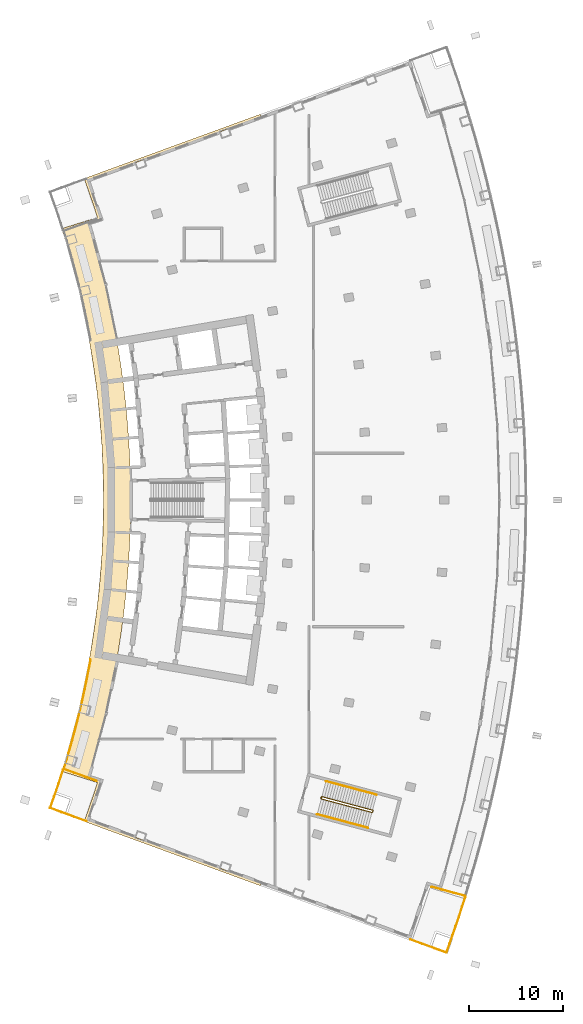
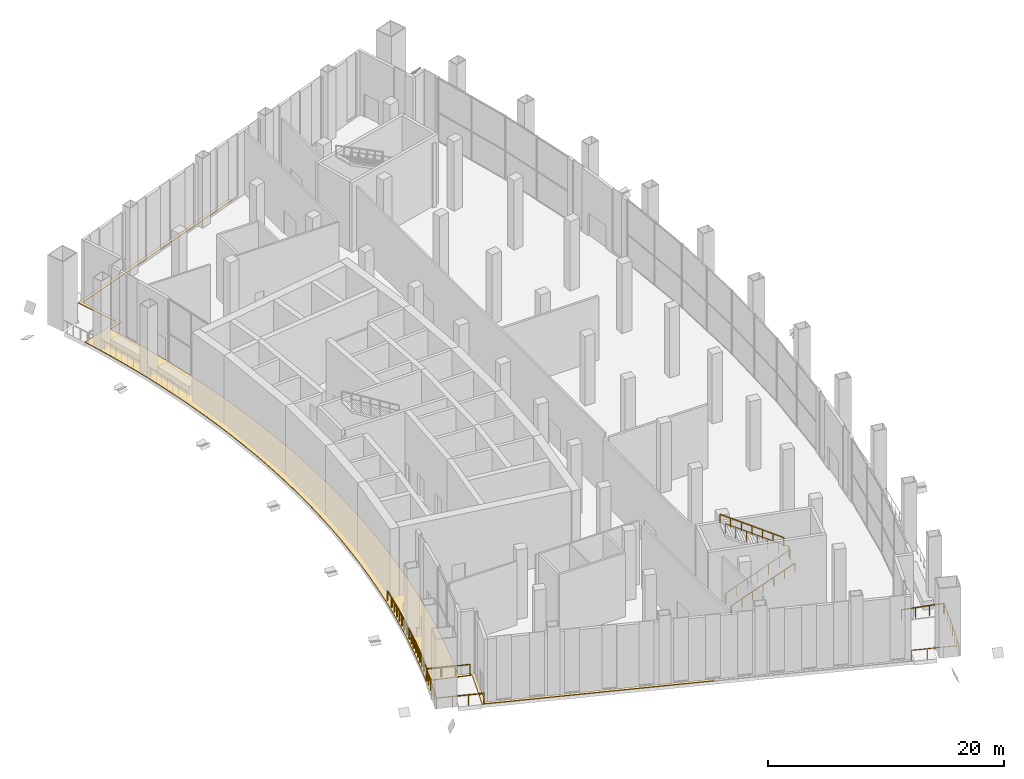
# One storey, part 14 of 18: 8 railings, 1 covering.
"""IFC4 building model written with IfcOpenShell, lengths in metres."""

from ifc_helpers import new_model, si_unit, direction, frame, origin, origin_2d, place, context, subcontext, project, spatial, polyline, rectangle, outline, extrude, material, layer, layer_set, type_object, element, save


model = new_model("IFC4")

# Units and contexts
model_context = context("Model", 3, precision=1e-05, world=origin(), true_north=direction((0.0, 1.0)))
body_context = subcontext(model_context, "Body", "Model", "MODEL_VIEW")
ifc_project = project(units=[si_unit("LENGTHUNIT", "METRE"), si_unit("AREAUNIT", "SQUARE_METRE"), si_unit("VOLUMEUNIT", "CUBIC_METRE"), si_unit("PLANEANGLEUNIT", "RADIAN"), si_unit("MASSUNIT", "GRAM", prefix="KILO")], contexts=[model_context])

# Site, building, storey
site_placement = place(None, origin())
site = spatial("IfcSite", under=ifc_project, at=site_placement, CompositionType="ELEMENT")
building_placement = place(site_placement, origin())
building = spatial("IfcBuilding", under=site, at=building_placement, Name="Alderwake Tower", CompositionType="ELEMENT")
storey_placement = place(building_placement, frame((0.0, 0.0, 125.60009765625)))
storey = spatial("IfcBuildingStorey", under=building, at=storey_placement, Name="L31", CompositionType="ELEMENT", Elevation=125.60009765625)

# Railings
ifc_material_1 = material(Name="Stainless steel 316 rail and posts", Category="steel")
railing_type_1 = type_object("IfcRailingType", Name="Balcony guard 1100", PredefinedType="GUARDRAIL", material=ifc_material_1)
railing_1_placement = place(storey_placement, frame((54.594970703125, 18.651123046875, 0.0)))
element("IfcRailing", 1, at=railing_1_placement, inside=storey, type_object=railing_type_1, Name="Guard terrace FS", PredefinedType="GUARDRAIL", context=body_context, shape_type="SweptSolid", body=[
    extrude(rectangle(XDim=0.048095703125, YDim=0.048095703125, at=origin_2d()), frame((0.0, 0.0, 1.076171875), z_axis=(-0.307779974329, -0.951457559433, 0.0), x_axis=(0.951457559433, -0.307779974329, 0.0)), (0.0, 0.0, 1.0), 2.257568359375),
    extrude(rectangle(XDim=0.048095703125, YDim=0.048095703125, at=origin_2d()), frame((-0.69482421875, -2.14794921875, 1.076171875), z_axis=(-0.322236651578, -0.946659146884, 0.0), x_axis=(0.946659146884, -0.322236651578, 0.0)), (0.0, 0.0, 1.0), 2.057861328125),
    extrude(rectangle(XDim=0.048095703125, YDim=0.048095703125, at=origin_2d()), frame((-1.35791015625, -4.095947265625, 1.076171875), z_axis=(-0.335838646603, -0.941919531302, 0.0), x_axis=(0.941919531302, -0.335838646603, 0.0)), (0.0, 0.0, 1.0), 1.957763671875),
    extrude(rectangle(XDim=0.048095703125, YDim=0.048095703125, at=origin_2d()), frame((-2.015380859375, -5.93994140625, 1.076171875), z_axis=(-0.939617696184, 0.342225926863, 0.0), x_axis=(-0.342225926863, -0.939617696184, 0.0)), (0.0, 0.0, 1.0), 4.099853515625),
    extrude(rectangle(XDim=0.0419921875, YDim=0.0419921875, at=origin_2d()), frame((0.0, 0.0, 0.0), z_axis=(0.0, 0.0, 1.0), x_axis=(-0.307779974329, -0.951457559433, 0.0)), (0.0, 0.0, 1.0), 1.052001953125),
    extrude(rectangle(XDim=0.0419921875, YDim=0.0419921875, at=origin_2d()), frame((-0.347412109375, -1.073974609375, 0.0), z_axis=(0.0, 0.0, 1.0), x_axis=(-0.307779974329, -0.951457559433, 0.0)), (0.0, 0.0, 1.0), 1.052001953125),
    extrude(rectangle(XDim=0.0419921875, YDim=0.0419921875, at=origin_2d()), frame((-0.69482421875, -2.14794921875, 0.0), z_axis=(0.0, 0.0, 1.0), x_axis=(-0.322236651578, -0.946659146884, 0.0)), (0.0, 0.0, 1.0), 1.052001953125),
    extrude(rectangle(XDim=0.0419921875, YDim=0.0419921875, at=origin_2d()), frame((-1.0263671875, -3.1220703125, 0.0), z_axis=(0.0, 0.0, 1.0), x_axis=(-0.322236651578, -0.946659146884, 0.0)), (0.0, 0.0, 1.0), 1.052001953125),
    extrude(rectangle(XDim=0.0419921875, YDim=0.0419921875, at=origin_2d()), frame((-1.35791015625, -4.095947265625, 0.0), z_axis=(0.0, 0.0, 1.0), x_axis=(-0.335838646603, -0.941919531302, 0.0)), (0.0, 0.0, 1.0), 1.052001953125),
    extrude(rectangle(XDim=0.0419921875, YDim=0.0419921875, at=origin_2d()), frame((-1.6865234375, -5.01806640625, 0.0), z_axis=(0.0, 0.0, 1.0), x_axis=(-0.335838646603, -0.941919531302, 0.0)), (0.0, 0.0, 1.0), 1.052001953125),
    extrude(rectangle(XDim=0.0419921875, YDim=0.0419921875, at=origin_2d()), frame((-2.015380859375, -5.93994140625, 0.0), z_axis=(0.0, 0.0, 1.0), x_axis=(-0.939617696184, 0.342225926863, 0.0)), (0.0, 0.0, 1.0), 1.052001953125),
    extrude(rectangle(XDim=0.0419921875, YDim=0.0419921875, at=origin_2d()), frame((-3.299560546875, -5.47216796875, 0.0), z_axis=(0.0, 0.0, 1.0), x_axis=(-0.939617696184, 0.342225926863, 0.0)), (0.0, 0.0, 1.0), 1.052001953125),
    extrude(rectangle(XDim=0.0419921875, YDim=0.0419921875, at=origin_2d()), frame((-4.58349609375, -5.004638671875, 0.0), z_axis=(0.0, 0.0, 1.0), x_axis=(-0.939617696184, 0.342225926863, 0.0)), (0.0, 0.0, 1.0), 1.052001953125),
    extrude(rectangle(XDim=0.0419921875, YDim=0.0419921875, at=origin_2d()), frame((-5.86767578125, -4.536865234375, 0.0), z_axis=(0.0, 0.0, 1.0), x_axis=(-0.939617696184, 0.342225926863, 0.0)), (0.0, 0.0, 1.0), 1.052001953125),
])
railing_2_placement = place(storey_placement, frame((11.688720703125, 32.218017578125, 0.0)))
element("IfcRailing", 2, at=railing_2_placement, inside=storey, type_object=railing_type_1, Name="Guard terrace RS", PredefinedType="GUARDRAIL", context=body_context, shape_type="SweptSolid", body=[
    extrude(rectangle(XDim=0.048095703125, YDim=0.048095703125, at=origin_2d()), frame((0.0, 0.0, 1.076171875), z_axis=(-0.307479326145, -0.951554761426, 0.0), x_axis=(0.951554761426, -0.307479326145, 0.0)), (0.0, 0.0, 1.0), 1.6015625),
    extrude(rectangle(XDim=0.048095703125, YDim=0.048095703125, at=origin_2d()), frame((-0.492431640625, -1.52392578125, 1.076171875), z_axis=(-0.322283727344, -0.946643121292, 0.0), x_axis=(0.946643121292, -0.322283727344, 0.0)), (0.0, 0.0, 1.0), 1.4013671875),
    extrude(rectangle(XDim=0.048095703125, YDim=0.048095703125, at=origin_2d()), frame((-0.944091796875, -2.8505859375, 1.076171875), z_axis=(-0.335468607403, -0.942051385778, 0.0), x_axis=(0.942051385778, -0.335468607403, 0.0)), (0.0, 0.0, 1.0), 1.30126953125),
    extrude(rectangle(XDim=0.048095703125, YDim=0.048095703125, at=origin_2d()), frame((-1.380615234375, -4.076416015625, 1.076171875), z_axis=(0.939708203232, -0.341977327873, 0.0), x_axis=(0.341977327873, 0.939708203232, 0.0)), (0.0, 0.0, 1.0), 4.10009765625),
    extrude(rectangle(XDim=0.0419921875, YDim=0.0419921875, at=origin_2d()), frame((0.0, 0.0, 0.0), z_axis=(0.0, 0.0, 1.0), x_axis=(-0.307479326145, -0.951554761426, 0.0)), (0.0, 0.0, 1.0), 1.052001953125),
    extrude(rectangle(XDim=0.0419921875, YDim=0.0419921875, at=origin_2d()), frame((-0.24609375, -0.761962890625, 0.0), z_axis=(0.0, 0.0, 1.0), x_axis=(-0.307479326145, -0.951554761426, 0.0)), (0.0, 0.0, 1.0), 1.052001953125),
    extrude(rectangle(XDim=0.0419921875, YDim=0.0419921875, at=origin_2d()), frame((-0.492431640625, -1.52392578125, 0.0), z_axis=(0.0, 0.0, 1.0), x_axis=(-0.322283727344, -0.946643121292, 0.0)), (0.0, 0.0, 1.0), 1.052001953125),
    extrude(rectangle(XDim=0.0419921875, YDim=0.0419921875, at=origin_2d()), frame((-0.71826171875, -2.187255859375, 0.0), z_axis=(0.0, 0.0, 1.0), x_axis=(-0.322283727344, -0.946643121292, 0.0)), (0.0, 0.0, 1.0), 1.052001953125),
    extrude(rectangle(XDim=0.0419921875, YDim=0.0419921875, at=origin_2d()), frame((-0.944091796875, -2.8505859375, 0.0), z_axis=(0.0, 0.0, 1.0), x_axis=(-0.335468607403, -0.942051385778, 0.0)), (0.0, 0.0, 1.0), 1.052001953125),
    extrude(rectangle(XDim=0.0419921875, YDim=0.0419921875, at=origin_2d()), frame((-1.380615234375, -4.076416015625, 0.0), z_axis=(0.0, 0.0, 1.0), x_axis=(0.939708203232, -0.341977327873, 0.0)), (0.0, 0.0, 1.0), 1.052001953125),
    extrude(rectangle(XDim=0.0419921875, YDim=0.0419921875, at=origin_2d()), frame((-0.096435546875, -4.543701171875, 0.0), z_axis=(0.0, 0.0, 1.0), x_axis=(0.939708203232, -0.341977327873, 0.0)), (0.0, 0.0, 1.0), 1.052001953125),
    extrude(rectangle(XDim=0.0419921875, YDim=0.0419921875, at=origin_2d()), frame((1.18798828125, -5.01123046875, 0.0), z_axis=(0.0, 0.0, 1.0), x_axis=(0.939708203232, -0.341977327873, 0.0)), (0.0, 0.0, 1.0), 1.052001953125),
    extrude(rectangle(XDim=0.0419921875, YDim=0.0419921875, at=origin_2d()), frame((2.47216796875, -5.478515625, 0.0), z_axis=(0.0, 0.0, 1.0), x_axis=(0.939708203232, -0.341977327873, 0.0)), (0.0, 0.0, 1.0), 1.052001953125),
])
railing_3_placement = place(storey_placement, frame((54.5771484375, 18.76171875, 0.0)))
element("IfcRailing", 3, at=railing_3_placement, inside=storey, type_object=railing_type_1, Name="Guard garden terrace front end", PredefinedType="GUARDRAIL", context=body_context, shape_type="SweptSolid", body=[
    extrude(rectangle(XDim=0.048095703125, YDim=0.048095703125, at=origin_2d()), frame((0.0, 0.0, 1.076171875), z_axis=(-0.964915821237, 0.262559436939, 0.0), x_axis=(-0.262559436939, -0.964915821237, 0.0)), (0.0, 0.0, 1.0), 3.70263671875),
    extrude(rectangle(XDim=0.0419921875, YDim=0.0419921875, at=origin_2d()), frame((0.0, 0.0, 0.0), z_axis=(0.0, 0.0, 1.0), x_axis=(-0.964915821237, 0.262559436939, 0.0)), (0.0, 0.0, 1.0), 1.052001953125),
    extrude(rectangle(XDim=0.0419921875, YDim=0.0419921875, at=origin_2d()), frame((-1.19091796875, 0.323974609375, 0.0), z_axis=(0.0, 0.0, 1.0), x_axis=(-0.964915821237, 0.262559436939, 0.0)), (0.0, 0.0, 1.0), 1.052001953125),
    extrude(rectangle(XDim=0.0419921875, YDim=0.0419921875, at=origin_2d()), frame((-2.3818359375, 0.648193359375, 0.0), z_axis=(0.0, 0.0, 1.0), x_axis=(-0.964915821237, 0.262559436939, 0.0)), (0.0, 0.0, 1.0), 1.052001953125),
    extrude(rectangle(XDim=0.0419921875, YDim=0.0419921875, at=origin_2d()), frame((-3.57275390625, 0.97216796875, 0.0), z_axis=(0.0, 0.0, 1.0), x_axis=(-0.964915821237, 0.262559436939, 0.0)), (0.0, 0.0, 1.0), 1.052001953125),
])
railing_4_placement = place(storey_placement, frame((11.76611328125, 32.29833984375, 0.0)))
element("IfcRailing", 4, at=railing_4_placement, inside=storey, type_object=railing_type_1, Name="Guard garden terrace rear", PredefinedType="GUARDRAIL", context=body_context, shape_type="SweptSolid", body=[
    extrude(rectangle(XDim=0.048095703125, YDim=0.048095703125, at=origin_2d()), frame((0.0, 0.0, 1.076171875), z_axis=(0.293011807358, 0.95610882265, 0.0), x_axis=(-0.95610882265, 0.293011807358, 0.0)), (0.0, 0.0, 1.0), 1.102294921875),
    extrude(rectangle(XDim=0.048095703125, YDim=0.048095703125, at=origin_2d()), frame((0.322998046875, 1.053955078125, 1.076171875), z_axis=(0.280695326574, 0.959796923125, 0.0), x_axis=(-0.959796923125, 0.280695326574, 0.0)), (0.0, 0.0, 1.0), 1.402099609375),
    extrude(rectangle(XDim=0.048095703125, YDim=0.048095703125, at=origin_2d()), frame((0.716552734375, 2.399658203125, 1.076171875), z_axis=(0.266386460688, 0.963866304817, 0.0), x_axis=(-0.963866304817, 0.266386460688, 0.0)), (0.0, 0.0, 1.0), 1.40234375),
    extrude(rectangle(XDim=0.048095703125, YDim=0.048095703125, at=origin_2d()), frame((1.090087890625, 3.751220703125, 1.076171875), z_axis=(0.252478602314, 0.96760247797, 0.0), x_axis=(-0.96760247797, 0.252478602314, 0.0)), (0.0, 0.0, 1.0), 1.402099609375),
    extrude(rectangle(XDim=0.048095703125, YDim=0.048095703125, at=origin_2d()), frame((1.444091796875, 5.10791015625, 1.076171875), z_axis=(0.238354767213, 0.971178153042, 0.0), x_axis=(-0.971178153042, 0.238354767213, 0.0)), (0.0, 0.0, 1.0), 1.40234375),
    extrude(rectangle(XDim=0.048095703125, YDim=0.048095703125, at=origin_2d()), frame((1.7783203125, 6.4697265625, 1.076171875), z_axis=(0.224096426432, 0.974566976488, 0.0), x_axis=(-0.974566976488, 0.224096426432, 0.0)), (0.0, 0.0, 1.0), 1.402099609375),
    extrude(rectangle(XDim=0.048095703125, YDim=0.048095703125, at=origin_2d()), frame((2.092529296875, 7.836181640625, 1.076171875), z_axis=(0.209957084556, 0.977710602707, 0.0), x_axis=(-0.977710602707, 0.209957084556, 0.0)), (0.0, 0.0, 1.0), 1.40234375),
    extrude(rectangle(XDim=0.048095703125, YDim=0.048095703125, at=origin_2d()), frame((2.386962890625, 9.207275390625, 1.076171875), z_axis=(0.1955468343, 0.980694364007, 0.0), x_axis=(-0.980694364007, 0.1955468343, 0.0)), (0.0, 0.0, 1.0), 1.402099609375),
    extrude(rectangle(XDim=0.048095703125, YDim=0.048095703125, at=origin_2d()), frame((2.6611328125, 10.582275390625, 1.076171875), z_axis=(0.182977626426, 0.983117077579, 0.0), x_axis=(-0.983117077579, 0.182977626426, 0.0)), (0.0, 0.0, 1.0), 1.10205078125),
    extrude(rectangle(XDim=0.0419921875, YDim=0.0419921875, at=origin_2d()), frame((0.0, 0.0, 0.0), z_axis=(0.0, 0.0, 1.0), x_axis=(0.293011807358, 0.95610882265, 0.0)), (0.0, 0.0, 1.0), 1.052001953125),
    extrude(rectangle(XDim=0.0419921875, YDim=0.0419921875, at=origin_2d()), frame((0.322998046875, 1.053955078125, 0.0), z_axis=(0.0, 0.0, 1.0), x_axis=(0.280695326574, 0.959796923125, 0.0)), (0.0, 0.0, 1.0), 1.052001953125),
    extrude(rectangle(XDim=0.0419921875, YDim=0.0419921875, at=origin_2d()), frame((0.519775390625, 1.726806640625, 0.0), z_axis=(0.0, 0.0, 1.0), x_axis=(0.280695326574, 0.959796923125, 0.0)), (0.0, 0.0, 1.0), 1.052001953125),
    extrude(rectangle(XDim=0.0419921875, YDim=0.0419921875, at=origin_2d()), frame((0.716552734375, 2.399658203125, 0.0), z_axis=(0.0, 0.0, 1.0), x_axis=(0.266386460688, 0.963866304817, 0.0)), (0.0, 0.0, 1.0), 1.052001953125),
    extrude(rectangle(XDim=0.0419921875, YDim=0.0419921875, at=origin_2d()), frame((0.9033203125, 3.075439453125, 0.0), z_axis=(0.0, 0.0, 1.0), x_axis=(0.266386460688, 0.963866304817, 0.0)), (0.0, 0.0, 1.0), 1.052001953125),
    extrude(rectangle(XDim=0.0419921875, YDim=0.0419921875, at=origin_2d()), frame((1.090087890625, 3.751220703125, 0.0), z_axis=(0.0, 0.0, 1.0), x_axis=(0.252478602314, 0.96760247797, 0.0)), (0.0, 0.0, 1.0), 1.052001953125),
    extrude(rectangle(XDim=0.0419921875, YDim=0.0419921875, at=origin_2d()), frame((1.26708984375, 4.4296875, 0.0), z_axis=(0.0, 0.0, 1.0), x_axis=(0.252478602314, 0.96760247797, 0.0)), (0.0, 0.0, 1.0), 1.052001953125),
    extrude(rectangle(XDim=0.0419921875, YDim=0.0419921875, at=origin_2d()), frame((1.444091796875, 5.10791015625, 0.0), z_axis=(0.0, 0.0, 1.0), x_axis=(0.238354767213, 0.971178153042, 0.0)), (0.0, 0.0, 1.0), 1.052001953125),
    extrude(rectangle(XDim=0.0419921875, YDim=0.0419921875, at=origin_2d()), frame((1.611328125, 5.788818359375, 0.0), z_axis=(0.0, 0.0, 1.0), x_axis=(0.238354767213, 0.971178153042, 0.0)), (0.0, 0.0, 1.0), 1.052001953125),
    extrude(rectangle(XDim=0.0419921875, YDim=0.0419921875, at=origin_2d()), frame((1.7783203125, 6.4697265625, 0.0), z_axis=(0.0, 0.0, 1.0), x_axis=(0.224096426432, 0.974566976488, 0.0)), (0.0, 0.0, 1.0), 1.052001953125),
    extrude(rectangle(XDim=0.0419921875, YDim=0.0419921875, at=origin_2d()), frame((1.935546875, 7.15283203125, 0.0), z_axis=(0.0, 0.0, 1.0), x_axis=(0.224096426432, 0.974566976488, 0.0)), (0.0, 0.0, 1.0), 1.052001953125),
    extrude(rectangle(XDim=0.0419921875, YDim=0.0419921875, at=origin_2d()), frame((2.092529296875, 7.836181640625, 0.0), z_axis=(0.0, 0.0, 1.0), x_axis=(0.209957084556, 0.977710602707, 0.0)), (0.0, 0.0, 1.0), 1.052001953125),
    extrude(rectangle(XDim=0.0419921875, YDim=0.0419921875, at=origin_2d()), frame((2.23974609375, 8.521728515625, 0.0), z_axis=(0.0, 0.0, 1.0), x_axis=(0.209957084556, 0.977710602707, 0.0)), (0.0, 0.0, 1.0), 1.052001953125),
    extrude(rectangle(XDim=0.0419921875, YDim=0.0419921875, at=origin_2d()), frame((2.386962890625, 9.207275390625, 0.0), z_axis=(0.0, 0.0, 1.0), x_axis=(0.1955468343, 0.980694364007, 0.0)), (0.0, 0.0, 1.0), 1.052001953125),
    extrude(rectangle(XDim=0.0419921875, YDim=0.0419921875, at=origin_2d()), frame((2.52392578125, 9.894775390625, 0.0), z_axis=(0.0, 0.0, 1.0), x_axis=(0.1955468343, 0.980694364007, 0.0)), (0.0, 0.0, 1.0), 1.052001953125),
    extrude(rectangle(XDim=0.0419921875, YDim=0.0419921875, at=origin_2d()), frame((2.6611328125, 10.582275390625, 0.0), z_axis=(0.0, 0.0, 1.0), x_axis=(0.182977626426, 0.983117077579, 0.0)), (0.0, 0.0, 1.0), 1.052001953125),
    extrude(rectangle(XDim=0.0419921875, YDim=0.0419921875, at=origin_2d()), frame((2.86279296875, 11.665771484375, 0.0), z_axis=(0.0, 0.0, 1.0), x_axis=(0.182977626426, 0.983117077579, 0.0)), (0.0, 0.0, 1.0), 1.052001953125),
])
railing_5_placement = place(storey_placement, frame((11.76611328125, 32.29833984375, 0.0)))
element("IfcRailing", 5, at=railing_5_placement, inside=storey, type_object=railing_type_1, Name="Guard garden terrace rear end", PredefinedType="GUARDRAIL", context=body_context, shape_type="SweptSolid", body=[
    extrude(rectangle(XDim=0.048095703125, YDim=0.048095703125, at=origin_2d()), frame((0.0, 0.0, 1.076171875), z_axis=(0.940490122312, -0.33982102618, 0.0), x_axis=(0.33982102618, 0.940490122312, 0.0)), (0.0, 0.0, 1.0), 3.70361328125),
    extrude(rectangle(XDim=0.0419921875, YDim=0.0419921875, at=origin_2d()), frame((0.0, 0.0, 0.0), z_axis=(0.0, 0.0, 1.0), x_axis=(0.940490122312, -0.33982102618, 0.0)), (0.0, 0.0, 1.0), 1.052001953125),
    extrude(rectangle(XDim=0.0419921875, YDim=0.0419921875, at=origin_2d()), frame((1.1611328125, -0.41943359375, 0.0), z_axis=(0.0, 0.0, 1.0), x_axis=(0.940490122312, -0.33982102618, 0.0)), (0.0, 0.0, 1.0), 1.052001953125),
    extrude(rectangle(XDim=0.0419921875, YDim=0.0419921875, at=origin_2d()), frame((2.322021484375, -0.839111328125, 0.0), z_axis=(0.0, 0.0, 1.0), x_axis=(0.940490122312, -0.33982102618, 0.0)), (0.0, 0.0, 1.0), 1.052001953125),
    extrude(rectangle(XDim=0.0419921875, YDim=0.0419921875, at=origin_2d()), frame((3.483154296875, -1.258544921875, 0.0), z_axis=(0.0, 0.0, 1.0), x_axis=(0.940490122312, -0.33982102618, 0.0)), (0.0, 0.0, 1.0), 1.052001953125),
])

# Covering
ifc_material_2 = material(Name="Bronze-grey porcelain paving on pedestals")
ifc_layer = layer(ifc_material_2, 0.06005859375)
ifc_layer_set = layer_set([ifc_layer], Name="Garden terrace paving 60")
covering_type = type_object("IfcCoveringType", Name="Garden terrace paving 60", PredefinedType="FLOORING", material=ifc_layer_set)
covering_placement = place(storey_placement, origin())
element("IfcCovering", 6, at=covering_placement, inside=storey, type_object=covering_type, Name="Garden terrace paving rear", PredefinedType="FLOORING", context=body_context, shape_type="SweptSolid", body=[
    extrude(outline(polyline([(13.3984375, 38.802734375), (13.06494140625, 37.443115234375), (12.71142578125, 36.08837890625), (12.33837890625, 34.739013671875), (11.945556640625, 33.395263671875), (11.533203125, 32.057373046875), (15.34716796875, 30.8515625), (14.897216796875, 29.46435546875), (14.42724609375, 28.083740234375), (13.937255859375, 26.710205078125), (32.724609375, 19.852294921875), (32.724609375, 19.852294921875), (32.825439453125, 20.134765625), (14.31982421875, 26.889892578125), (14.710693359375, 27.985107421875), (15.181884765625, 29.36962890625), (15.7255859375, 31.04638671875), (14.38671875, 31.4697265625), (14.72314453125, 32.561279296875), (15.127685546875, 33.94580078125), (15.51220703125, 35.3359375), (15.876220703125, 36.7314453125), (16.219970703125, 38.132080078125), (16.543212890625, 39.537841796875), (16.845947265625, 40.947998046875), (17.1279296875, 42.3623046875), (17.389404296875, 43.78076171875), (17.630126953125, 45.20263671875), (17.85009765625, 46.628173828125), (18.04931640625, 48.056640625), (18.227783203125, 49.48779296875), (18.385009765625, 50.92138671875), (18.521484375, 52.357421875), (18.63720703125, 53.794921875), (18.731689453125, 55.234130859375), (18.805419921875, 56.674560546875), (18.85791015625, 58.11572265625), (18.889404296875, 59.557861328125), (18.89990234375, 61.0), (18.889404296875, 62.442138671875), (18.85791015625, 63.88427734375), (18.805419921875, 65.325439453125), (18.731689453125, 66.765869140625), (18.63720703125, 68.205078125), (18.521484375, 69.642578125), (18.385009765625, 71.07861328125), (18.227783203125, 72.51220703125), (18.04931640625, 73.943359375), (17.85009765625, 75.371826171875), (17.630126953125, 76.79736328125), (17.389404296875, 78.21923828125), (17.1279296875, 79.6376953125), (16.845947265625, 81.052001953125), (16.543212890625, 82.462158203125), (16.219970703125, 83.867919921875), (15.876220703125, 85.2685546875), (15.51220703125, 86.6640625), (15.127685546875, 88.05419921875), (14.72314453125, 89.438720703125), (14.38671875, 90.5302734375), (15.7255859375, 90.95361328125), (15.181884765625, 92.63037109375), (14.710693359375, 94.014892578125), (14.31982421875, 95.110107421875), (32.825439453125, 101.865234375), (32.724609375, 102.147705078125), (32.724609375, 102.147705078125), (13.937255859375, 95.289794921875), (14.42724609375, 93.916259765625), (14.897216796875, 92.53564453125), (15.34716796875, 91.1484375), (11.533203125, 89.942626953125), (11.945556640625, 88.604736328125), (12.33837890625, 87.260986328125), (12.71142578125, 85.91162109375), (13.06494140625, 84.556884765625), (13.3984375, 83.197265625), (13.71240234375, 81.8330078125), (14.006103515625, 80.464111328125), (14.280029296875, 79.09130859375), (14.53369140625, 77.71435546875), (14.767333984375, 76.333984375), (14.98095703125, 74.950439453125), (15.17431640625, 73.56396484375), (15.347412109375, 72.174560546875), (15.500244140625, 70.782958984375), (15.6328125, 69.389404296875), (15.744873046875, 67.993896484375), (15.836669921875, 66.5966796875), (15.908203125, 65.19873046875), (15.959228515625, 63.799560546875), (15.98974609375, 62.39990234375), (16.0, 61.0), (15.98974609375, 59.60009765625), (15.959228515625, 58.200439453125), (15.908203125, 56.80126953125), (15.836669921875, 55.4033203125), (15.744873046875, 54.006103515625), (15.6328125, 52.610595703125), (15.500244140625, 51.217041015625), (15.347412109375, 49.825439453125), (15.17431640625, 48.43603515625), (14.98095703125, 47.049560546875), (14.767333984375, 45.666015625), (14.53369140625, 44.28564453125), (14.280029296875, 42.90869140625), (14.006103515625, 41.535888671875), (13.71240234375, 40.1669921875), (13.3984375, 38.802734375)])), origin(), (0.0, 0.0, 1.0), 0.059814453125),
])

# Railings
ifc_material_3 = material(Name="Stainless steel guard", Category="steel")
railing_type_2 = type_object("IfcRailingType", Name="Stair guard 1100", PredefinedType="GUARDRAIL", material=ifc_material_3)
railing_6_placement = place(storey_placement, frame((39.1943359375, 29.17431640625, 0.0)))
element("IfcRailing", 7, at=railing_6_placement, inside=storey, type_object=railing_type_2, Name="L31 ST-C stair guard 1", PredefinedType="GUARDRAIL", context=body_context, shape_type="SweptSolid", body=[
    extrude(rectangle(XDim=0.048095703125, YDim=0.048095703125, at=origin_2d()), frame((0.0, 0.0, 1.076171875), z_axis=(0.257459803502, 0.966289009345, 0.0), x_axis=(-0.966289009345, 0.257459803502, 0.0)), (0.0, 0.0, 1.0), 0.14990234375),
    extrude(rectangle(XDim=0.048095703125, YDim=0.048095703125, at=origin_2d()), frame((0.03857421875, 0.144775390625, 1.076171875), z_axis=(-0.01184115736, -0.768764370126, 0.639422497427), x_axis=(0.999881397308, -0.015401016783, 0.0)), (0.0, 0.0, 1.0), 0.26806640625),
    extrude(rectangle(XDim=0.048095703125, YDim=0.048095703125, at=origin_2d()), frame((0.035400390625, -0.061279296875, 1.24755859375), z_axis=(0.824125601407, -0.219518951081, 0.522138318094), x_axis=(0.257391295463, 0.966307260151, 0.0)), (0.0, 0.0, 1.0), 6.566162109375),
    extrude(rectangle(XDim=0.048095703125, YDim=0.048095703125, at=origin_2d()), frame((5.44677734375, -1.502685546875, 4.67578125), z_axis=(0.864402767194, 0.502800015978, 0.0), x_axis=(-0.502800015978, 0.864402767194, 0.0)), (0.0, 0.0, 1.0), 0.07080078125),
    extrude(rectangle(XDim=0.048095703125, YDim=0.048095703125, at=origin_2d()), frame((5.508056640625, -1.467041015625, 4.67578125), z_axis=(0.257459803502, 0.966289009345, 0.0), x_axis=(-0.966289009345, 0.257459803502, 0.0)), (0.0, 0.0, 1.0), 0.14990234375),
    extrude(rectangle(XDim=0.048095703125, YDim=0.048095703125, at=origin_2d()), frame((5.546630859375, -1.322265625, 4.67578125), z_axis=(-0.190916771936, 0.330483515558, 0.924300509649), x_axis=(-0.865898279276, -0.500220121494, 0.0)), (0.0, 0.0, 1.0), 0.185302734375),
    extrude(rectangle(XDim=0.048095703125, YDim=0.048095703125, at=origin_2d()), frame((5.51123046875, -1.260986328125, 4.84716796875), z_axis=(-0.824109601868, 0.219514689349, 0.522165361996), x_axis=(-0.257391295463, -0.966307260151, 0.0)), (0.0, 0.0, 1.0), 6.56640625),
    extrude(rectangle(XDim=0.0419921875, YDim=0.0419921875, at=origin_2d()), frame((0.0, 0.0, 0.0), z_axis=(0.0, 0.0, 1.0), x_axis=(0.257459803502, 0.966289009345, 0.0)), (0.0, 0.0, 1.0), 1.052001953125),
    extrude(rectangle(XDim=0.0419921875, YDim=0.0419921875, at=origin_2d()), frame((0.03857421875, 0.144775390625, 0.0), z_axis=(0.0, 0.0, 1.0), x_axis=(-0.015401016783, -0.999881397308, 0.0)), (0.0, 0.0, 1.0), 1.052001953125),
    extrude(rectangle(XDim=0.0419921875, YDim=0.0419921875, at=origin_2d()), frame((0.035400390625, -0.061279296875, 0.17138671875), z_axis=(0.0, 0.0, 1.0), x_axis=(0.966307260151, -0.257391295463, 0.0)), (0.0, 0.0, 1.0), 1.052001953125),
    extrude(rectangle(XDim=0.0419921875, YDim=0.0419921875, at=origin_2d()), frame((0.937255859375, -0.301513671875, 0.74267578125), z_axis=(0.0, 0.0, 1.0), x_axis=(0.966307260151, -0.257391295463, 0.0)), (0.0, 0.0, 1.0), 1.052001953125),
    extrude(rectangle(XDim=0.0419921875, YDim=0.0419921875, at=origin_2d()), frame((1.839111328125, -0.541748046875, 1.314208984375), z_axis=(0.0, 0.0, 1.0), x_axis=(0.966307260151, -0.257391295463, 0.0)), (0.0, 0.0, 1.0), 1.052001953125),
    extrude(rectangle(XDim=0.0419921875, YDim=0.0419921875, at=origin_2d()), frame((2.7412109375, -0.781982421875, 1.8857421875), z_axis=(0.0, 0.0, 1.0), x_axis=(0.966307260151, -0.257391295463, 0.0)), (0.0, 0.0, 1.0), 1.052001953125),
    extrude(rectangle(XDim=0.0419921875, YDim=0.0419921875, at=origin_2d()), frame((3.64306640625, -1.022216796875, 2.45703125), z_axis=(0.0, 0.0, 1.0), x_axis=(0.966307260151, -0.257391295463, 0.0)), (0.0, 0.0, 1.0), 1.052001953125),
    extrude(rectangle(XDim=0.0419921875, YDim=0.0419921875, at=origin_2d()), frame((4.544921875, -1.262451171875, 3.0283203125), z_axis=(0.0, 0.0, 1.0), x_axis=(0.966307260151, -0.257391295463, 0.0)), (0.0, 0.0, 1.0), 1.052001953125),
    extrude(rectangle(XDim=0.0419921875, YDim=0.0419921875, at=origin_2d()), frame((5.44677734375, -1.502685546875, 3.599853515625), z_axis=(0.0, 0.0, 1.0), x_axis=(0.864402767194, 0.502800015978, 0.0)), (0.0, 0.0, 1.0), 1.052001953125),
    extrude(rectangle(XDim=0.0419921875, YDim=0.0419921875, at=origin_2d()), frame((5.508056640625, -1.467041015625, 3.599853515625), z_axis=(0.0, 0.0, 1.0), x_axis=(0.257459803502, 0.966289009345, 0.0)), (0.0, 0.0, 1.0), 1.052001953125),
    extrude(rectangle(XDim=0.0419921875, YDim=0.0419921875, at=origin_2d()), frame((5.546630859375, -1.322265625, 3.599853515625), z_axis=(0.0, 0.0, 1.0), x_axis=(-0.500220121494, 0.865898279276, 0.0)), (0.0, 0.0, 1.0), 1.052001953125),
    extrude(rectangle(XDim=0.0419921875, YDim=0.0419921875, at=origin_2d()), frame((5.51123046875, -1.260986328125, 3.771240234375), z_axis=(0.0, 0.0, 1.0), x_axis=(-0.966307260151, 0.257391295463, 0.0)), (0.0, 0.0, 1.0), 1.052001953125),
    extrude(rectangle(XDim=0.0419921875, YDim=0.0419921875, at=origin_2d()), frame((4.609375, -1.020751953125, 4.3427734375), z_axis=(0.0, 0.0, 1.0), x_axis=(-0.966307260151, 0.257391295463, 0.0)), (0.0, 0.0, 1.0), 1.052001953125),
    extrude(rectangle(XDim=0.0419921875, YDim=0.0419921875, at=origin_2d()), frame((3.70751953125, -0.780517578125, 4.9140625), z_axis=(0.0, 0.0, 1.0), x_axis=(-0.966307260151, 0.257391295463, 0.0)), (0.0, 0.0, 1.0), 1.052001953125),
    extrude(rectangle(XDim=0.0419921875, YDim=0.0419921875, at=origin_2d()), frame((2.8056640625, -0.540283203125, 5.485595703125), z_axis=(0.0, 0.0, 1.0), x_axis=(-0.966307260151, 0.257391295463, 0.0)), (0.0, 0.0, 1.0), 1.052001953125),
    extrude(rectangle(XDim=0.0419921875, YDim=0.0419921875, at=origin_2d()), frame((1.903564453125, -0.300048828125, 6.05712890625), z_axis=(0.0, 0.0, 1.0), x_axis=(-0.966307260151, 0.257391295463, 0.0)), (0.0, 0.0, 1.0), 1.052001953125),
    extrude(rectangle(XDim=0.0419921875, YDim=0.0419921875, at=origin_2d()), frame((1.001708984375, -0.059814453125, 6.62841796875), z_axis=(0.0, 0.0, 1.0), x_axis=(-0.966307260151, 0.257391295463, 0.0)), (0.0, 0.0, 1.0), 1.052001953125),
    extrude(rectangle(XDim=0.0419921875, YDim=0.0419921875, at=origin_2d()), frame((0.099853515625, 0.180419921875, 7.199951171875), z_axis=(0.0, 0.0, 1.0), x_axis=(-0.966307260151, 0.257391295463, 0.0)), (0.0, 0.0, 1.0), 1.052001953125),
])
ifc_material_4 = material(Name="Stainless steel handrail", Category="steel")
railing_type_3 = type_object("IfcRailingType", Name="Stair handrail 900", PredefinedType="HANDRAIL", material=ifc_material_4)
railing_7_placement = place(storey_placement, frame((38.792236328125, 27.47021484375, 0.17138671875)))
element("IfcRailing", 8, at=railing_7_placement, inside=storey, type_object=railing_type_3, Name="L31 ST-C stair handrail 1", PredefinedType="HANDRAIL", context=body_context, shape_type="SweptSolid", body=[
    extrude(rectangle(XDim=0.048095703125, YDim=0.048095703125, at=origin_2d()), frame((0.0, 0.0, 0.8759765625), z_axis=(0.82413232745, -0.219483560972, 0.522142579489), x_axis=(0.257350586944, 0.966318102593, 0.0)), (0.0, 0.0, 1.0), 6.566162109375),
    extrude(rectangle(XDim=0.0419921875, YDim=0.0419921875, at=origin_2d()), frame((0.0, 0.0, 0.0), z_axis=(0.0, 0.0, 1.0), x_axis=(0.966318102593, -0.257350586944, 0.0)), (0.0, 0.0, 1.0), 0.851806640625),
    extrude(rectangle(XDim=0.0419921875, YDim=0.0419921875, at=origin_2d()), frame((0.90185546875, -0.240234375, 0.5712890625), z_axis=(0.0, 0.0, 1.0), x_axis=(0.966318102593, -0.257350586944, 0.0)), (0.0, 0.0, 1.0), 0.851806640625),
    extrude(rectangle(XDim=0.0419921875, YDim=0.0419921875, at=origin_2d()), frame((1.8037109375, -0.48046875, 1.142822265625), z_axis=(0.0, 0.0, 1.0), x_axis=(0.966318102593, -0.257350586944, 0.0)), (0.0, 0.0, 1.0), 0.851806640625),
    extrude(rectangle(XDim=0.0419921875, YDim=0.0419921875, at=origin_2d()), frame((2.70556640625, -0.720703125, 1.71435546875), z_axis=(0.0, 0.0, 1.0), x_axis=(0.966318102593, -0.257350586944, 0.0)), (0.0, 0.0, 1.0), 0.851806640625),
    extrude(rectangle(XDim=0.0419921875, YDim=0.0419921875, at=origin_2d()), frame((3.607666015625, -0.960693359375, 2.28564453125), z_axis=(0.0, 0.0, 1.0), x_axis=(0.966318102593, -0.257350586944, 0.0)), (0.0, 0.0, 1.0), 0.851806640625),
    extrude(rectangle(XDim=0.0419921875, YDim=0.0419921875, at=origin_2d()), frame((4.509521484375, -1.200927734375, 2.85693359375), z_axis=(0.0, 0.0, 1.0), x_axis=(0.966318102593, -0.257350586944, 0.0)), (0.0, 0.0, 1.0), 0.851806640625),
    extrude(rectangle(XDim=0.0419921875, YDim=0.0419921875, at=origin_2d()), frame((5.411376953125, -1.441162109375, 3.428466796875), z_axis=(0.0, 0.0, 1.0), x_axis=(0.966318102593, -0.257350586944, 0.0)), (0.0, 0.0, 1.0), 0.851806640625),
])
railing_8_placement = place(storey_placement, frame((45.14306640625, 29.555908203125, 3.771240234375)))
element("IfcRailing", 9, at=railing_8_placement, inside=storey, type_object=railing_type_3, Name="L31 ST-C stair handrail 2", PredefinedType="HANDRAIL", context=body_context, shape_type="SweptSolid", body=[
    extrude(rectangle(XDim=0.048095703125, YDim=0.048095703125, at=origin_2d()), frame((0.0, 0.0, 0.8759765625), z_axis=(-0.824109601868, 0.219514689349, 0.522165361996), x_axis=(-0.257391295463, -0.966307260151, 0.0)), (0.0, 0.0, 1.0), 6.56640625),
    extrude(rectangle(XDim=0.0419921875, YDim=0.0419921875, at=origin_2d()), frame((0.0, 0.0, 0.0), z_axis=(0.0, 0.0, 1.0), x_axis=(-0.966307260151, 0.257391295463, 0.0)), (0.0, 0.0, 1.0), 0.851806640625),
    extrude(rectangle(XDim=0.0419921875, YDim=0.0419921875, at=origin_2d()), frame((-0.90185546875, 0.240234375, 0.571533203125), z_axis=(0.0, 0.0, 1.0), x_axis=(-0.966307260151, 0.257391295463, 0.0)), (0.0, 0.0, 1.0), 0.851806640625),
    extrude(rectangle(XDim=0.0419921875, YDim=0.0419921875, at=origin_2d()), frame((-1.8037109375, 0.48046875, 1.142822265625), z_axis=(0.0, 0.0, 1.0), x_axis=(-0.966307260151, 0.257391295463, 0.0)), (0.0, 0.0, 1.0), 0.851806640625),
    extrude(rectangle(XDim=0.0419921875, YDim=0.0419921875, at=origin_2d()), frame((-2.70556640625, 0.720703125, 1.71435546875), z_axis=(0.0, 0.0, 1.0), x_axis=(-0.966307260151, 0.257391295463, 0.0)), (0.0, 0.0, 1.0), 0.851806640625),
    extrude(rectangle(XDim=0.0419921875, YDim=0.0419921875, at=origin_2d()), frame((-3.607666015625, 0.9609375, 2.285888671875), z_axis=(0.0, 0.0, 1.0), x_axis=(-0.966307260151, 0.257391295463, 0.0)), (0.0, 0.0, 1.0), 0.851806640625),
    extrude(rectangle(XDim=0.0419921875, YDim=0.0419921875, at=origin_2d()), frame((-4.509521484375, 1.201171875, 2.857177734375), z_axis=(0.0, 0.0, 1.0), x_axis=(-0.966307260151, 0.257391295463, 0.0)), (0.0, 0.0, 1.0), 0.851806640625),
    extrude(rectangle(XDim=0.0419921875, YDim=0.0419921875, at=origin_2d()), frame((-5.411376953125, 1.44140625, 3.4287109375), z_axis=(0.0, 0.0, 1.0), x_axis=(-0.966307260151, 0.257391295463, 0.0)), (0.0, 0.0, 1.0), 0.851806640625),
])

save(model, "model.ifc")
